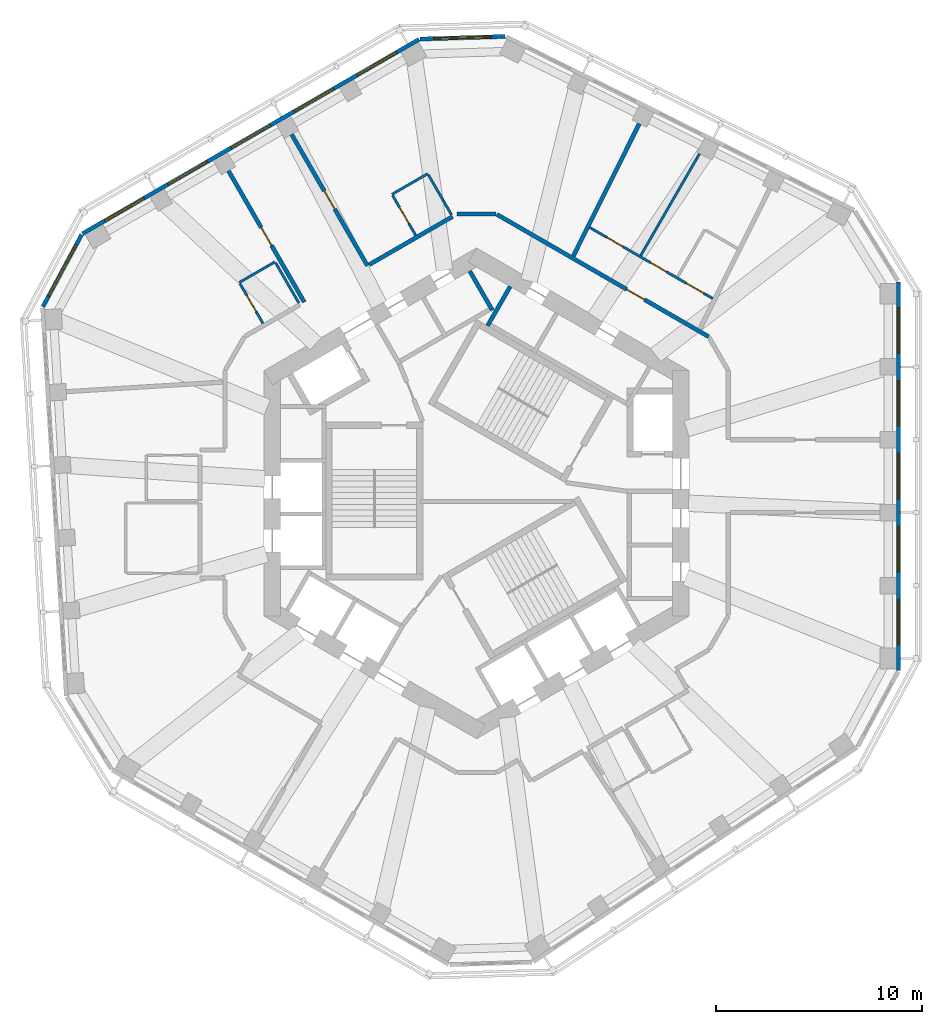
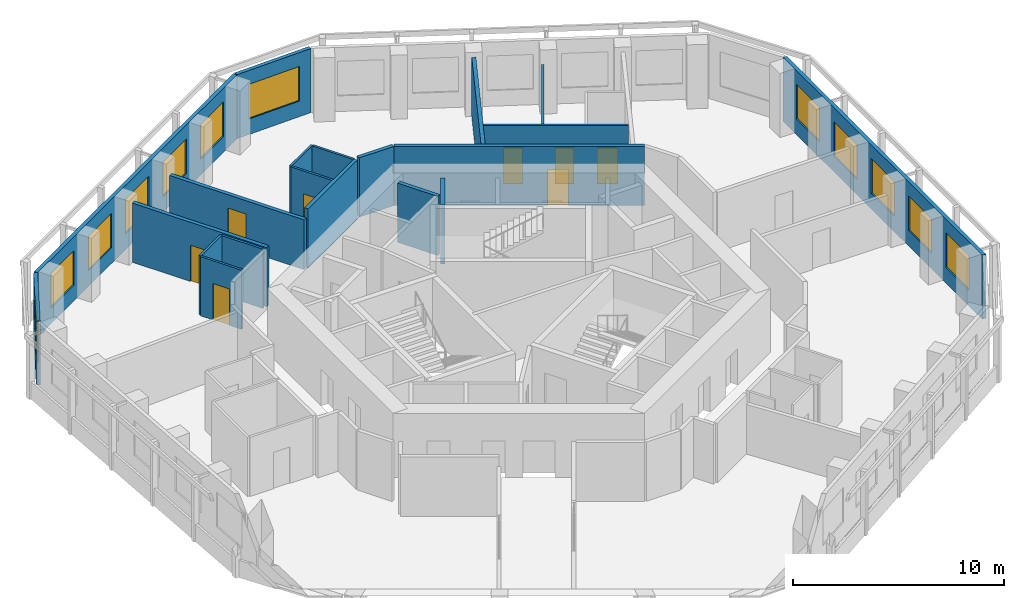
# One storey, part 7 of 11: 20 walls, 12 windows, 8 doors, 20 openings.
"""IFC4 building model written with IfcOpenShell, lengths in metres."""

from ifc_helpers import new_model, si_unit, direction, frame, frame_2d, origin, place, context, subcontext, project, spatial, rectangle, extrude, material, layer, layer_set, type_object, element, fill, save


model = new_model("IFC4")

# Units and contexts
model_context = context("Model", 3, precision=1e-05, world=origin(), true_north=direction((0.0, 1.0)))
body_context = subcontext(model_context, "Body", "Model", "MODEL_VIEW")
ifc_project = project(units=[si_unit("LENGTHUNIT", "METRE"), si_unit("AREAUNIT", "SQUARE_METRE"), si_unit("VOLUMEUNIT", "CUBIC_METRE"), si_unit("PLANEANGLEUNIT", "RADIAN"), si_unit("MASSUNIT", "GRAM", prefix="KILO")], contexts=[model_context])

# Site, building, storey
site_placement = place(None, origin())
site = spatial("IfcSite", under=ifc_project, at=site_placement, CompositionType="ELEMENT")
building_placement = place(site_placement, origin())
building = spatial("IfcBuilding", under=site, at=building_placement, Name="Vanh Sen Convention Tower", CompositionType="ELEMENT")
storey_placement = place(building_placement, frame((0.0, 0.0, 247.60009765625)))
storey = spatial("IfcBuildingStorey", under=building, at=storey_placement, Name="L61", CompositionType="ELEMENT", Elevation=247.60009765625)

# Wall
ifc_material_1 = material(Name="Moisture-resistant gypsum board on steel studs", Category="steel")
ifc_layer_1 = layer(ifc_material_1, 0.1201171875)
ifc_layer_set_1 = layer_set([ifc_layer_1], Name="Moisture-resistant gypsum board on steel studs")
wall_type_1 = type_object("IfcWallType", Name="Bathroom partition 120", PredefinedType="PARTITIONING", material=ifc_layer_set_1)
wall_1_placement = place(storey_placement, frame((-11.49853515625, 10.219970703125, 0.0), z_axis=(0.0, 0.0, 1.0), x_axis=(0.866010750942, 0.50002537861, 0.0)))
element("IfcWall", 1, at=wall_1_placement, inside=storey, type_object=wall_type_1, Name="Bathroom partition 120", PredefinedType="PARTITIONING", context=body_context, shape_type="SweptSolid", body=[
    extrude(rectangle(XDim=2.0, YDim=0.1201171875, at=frame_2d((1.0, 0.0))), origin(), (0.0, 0.0, 1.0), 3.419921875),
])

# Wall, opening, door
wall_2_placement = place(storey_placement, frame((-10.348388671875, 8.22802734375, 0.0), z_axis=(0.0, 0.0, 1.0), x_axis=(-0.500030632641, 0.866007717299, 0.0)))
wall_2 = element("IfcWall", 2, at=wall_2_placement, inside=storey, type_object=wall_type_1, Name="Bathroom partition 120", PredefinedType="PARTITIONING", context=body_context, shape_type="SweptSolid", body=[
    extrude(rectangle(XDim=2.239990234375, YDim=0.1201171875, at=frame_2d((1.1201171875, 0.0))), origin(), (0.0, 0.0, 1.0), 3.419921875),
])
opening_1_placement = place(wall_2_placement, frame((0.669921875, 0.0, 0.0)))
opening_1 = element("IfcOpeningElement", 3, at=opening_1_placement, cuts=wall_2, Name="Opening D61109", PredefinedType="OPENING", context=body_context, shape_type="SweptSolid", body=[
    extrude(rectangle(XDim=0.89990234375, YDim=2.10009765625, at=frame_2d((0.449951171875, 1.050048828125))), frame((0.0, 0.070068359375, 0.0), z_axis=(0.0, -1.0, 0.0), x_axis=(1.0, 0.0, 0.0)), (0.0, 0.0, 1.0), 0.14013671875),
])
ifc_material_2 = material(Name="Laminate door in steel frame", Category="steel")
door_type_1 = type_object("IfcDoorType", Name="Room internal door 900", OperationType="SINGLE_SWING_LEFT", PredefinedType="DOOR", material=ifc_material_2)
door_1_placement = place(opening_1_placement, origin())
door_1 = element("IfcDoor", 4, at=door_1_placement, inside=storey, type_object=door_type_1, Name="Internal room door D61109", OperationType="SINGLE_SWING_LEFT", OverallHeight=2.10009765625, OverallWidth=0.89990234375, PredefinedType="DOOR", context=body_context, shape_type="SweptSolid", body=[
    extrude(rectangle(XDim=0.89990234375, YDim=2.10009765625, at=frame_2d((0.449951171875, 1.050048828125))), frame((0.0, 0.02490234375, 0.0), z_axis=(0.0, -1.0, 0.0), x_axis=(1.0, 0.0, 0.0)), (0.0, 0.0, 1.0), 0.050048828125),
])
fill(opening_1, door_1)

# Walls
wall_3_placement = place(storey_placement, frame((-9.736572265625, 11.16796875, 0.0), z_axis=(0.0, 0.0, 1.0), x_axis=(0.500030632641, -0.866007717299, 0.0)))
element("IfcWall", 5, at=wall_3_placement, inside=storey, type_object=wall_type_1, Name="Bathroom partition 120", PredefinedType="PARTITIONING", context=body_context, shape_type="SweptSolid", body=[
    extrude(rectangle(XDim=2.239990234375, YDim=0.1201171875, at=frame_2d((1.1201171875, 0.0))), origin(), (0.0, 0.0, 1.0), 3.419921875),
])
wall_4_placement = place(storey_placement, frame((-4.0986328125, 14.4921875, 0.0), z_axis=(0.0, 0.0, 1.0), x_axis=(0.866041268327, 0.499972520799, 0.0)))
element("IfcWall", 6, at=wall_4_placement, inside=storey, type_object=wall_type_1, Name="Bathroom partition 120", PredefinedType="PARTITIONING", context=body_context, shape_type="SweptSolid", body=[
    extrude(rectangle(XDim=2.0, YDim=0.1201171875, at=frame_2d((1.0, 0.0))), origin(), (0.0, 0.0, 1.0), 3.419921875),
])

# Wall, opening, door
wall_5_placement = place(storey_placement, frame((-2.948486328125, 12.50048828125, 0.0), z_axis=(0.0, 0.0, 1.0), x_axis=(-0.500077830873, 0.865980463445, 0.0)))
wall_5 = element("IfcWall", 7, at=wall_5_placement, inside=storey, type_object=wall_type_1, Name="Bathroom partition 120", PredefinedType="PARTITIONING", context=body_context, shape_type="SweptSolid", body=[
    extrude(rectangle(XDim=2.239990234375, YDim=0.1201171875, at=frame_2d((1.1201171875, 0.0))), origin(), (0.0, 0.0, 1.0), 3.419921875),
])
opening_2_placement = place(wall_5_placement, frame((0.669921875, 0.0, 0.0)))
opening_2 = element("IfcOpeningElement", 8, at=opening_2_placement, cuts=wall_5, Name="Opening D61107", PredefinedType="OPENING", context=body_context, shape_type="SweptSolid", body=[
    extrude(rectangle(XDim=0.89990234375, YDim=2.10009765625, at=frame_2d((0.449951171875, 1.050048828125))), frame((0.0, 0.070068359375, 0.0), z_axis=(0.0, -1.0, 0.0), x_axis=(1.0, 0.0, 0.0)), (0.0, 0.0, 1.0), 0.14013671875),
])
door_2_placement = place(opening_2_placement, origin())
door_2 = element("IfcDoor", 9, at=door_2_placement, inside=storey, type_object=door_type_1, Name="Internal room door D61107", OperationType="SINGLE_SWING_LEFT", OverallHeight=2.10009765625, OverallWidth=0.89990234375, PredefinedType="DOOR", context=body_context, shape_type="SweptSolid", body=[
    extrude(rectangle(XDim=0.89990234375, YDim=2.10009765625, at=frame_2d((0.449951171875, 1.050048828125))), frame((0.0, 0.02490234375, 0.0), z_axis=(0.0, -1.0, 0.0), x_axis=(1.0, 0.0, 0.0)), (0.0, 0.0, 1.0), 0.050048828125),
])
fill(opening_2, door_2)

# Walls
wall_6_placement = place(storey_placement, frame((-2.33642578125, 15.440185546875, 0.0), z_axis=(0.0, 0.0, 1.0), x_axis=(0.49999608499, -0.866027664105, 0.0)))
element("IfcWall", 10, at=wall_6_placement, inside=storey, type_object=wall_type_1, Name="Bathroom partition 120", PredefinedType="PARTITIONING", context=body_context, shape_type="SweptSolid", body=[
    extrude(rectangle(XDim=2.23974609375, YDim=0.1201171875, at=frame_2d((1.119873046875, 0.0))), origin(), (0.0, 0.0, 1.0), 3.419921875),
])
wall_7_placement = place(storey_placement, frame((10.8046875, 16.458251953125, 0.0), z_axis=(0.0, 0.0, 1.0), x_axis=(-0.500025478307, -0.866010693377, 0.0)))
element("IfcWall", 11, at=wall_7_placement, inside=storey, type_object=wall_type_1, Name="Bathroom partition 120", PredefinedType="PARTITIONING", context=body_context, shape_type="SweptSolid", body=[
    extrude(rectangle(XDim=5.695556640625, YDim=0.1201171875, at=frame_2d((2.84765625, 0.0))), origin(), (0.0, 0.0, 1.0), 2.869873046875),
])

# Wall, openings, doors
wall_8_placement = place(storey_placement, frame((11.447265625, 9.441162109375, 0.0), z_axis=(0.0, 0.0, 1.0), x_axis=(-0.866016001002, 0.500016285743, 0.0)))
wall_8 = element("IfcWall", 12, at=wall_8_placement, inside=storey, type_object=wall_type_1, Name="Bathroom partition 120", PredefinedType="PARTITIONING", context=body_context, shape_type="SweptSolid", body=[
    extrude(rectangle(XDim=6.880615234375, YDim=0.1201171875, at=frame_2d((3.4404296875, 0.0))), origin(), (0.0, 0.0, 1.0), 3.419921875),
])
opening_3_placement = place(wall_8_placement, frame((0.5, 0.0, 0.0)))
opening_3 = element("IfcOpeningElement", 13, at=opening_3_placement, cuts=wall_8, Name="Opening D61103", PredefinedType="OPENING", context=body_context, shape_type="SweptSolid", body=[
    extrude(rectangle(XDim=1.0, YDim=2.10009765625, at=frame_2d((0.5, 1.050048828125))), frame((0.0, 0.070068359375, 0.0), z_axis=(0.0, -1.0, 0.0), x_axis=(1.0, 0.0, 0.0)), (0.0, 0.0, 1.0), 0.14013671875),
])
opening_4_placement = place(wall_8_placement, frame((2.58251953125, 0.0, 0.0)))
opening_4 = element("IfcOpeningElement", 14, at=opening_4_placement, cuts=wall_8, Name="Opening D61104", PredefinedType="OPENING", context=body_context, shape_type="SweptSolid", body=[
    extrude(rectangle(XDim=0.89990234375, YDim=2.10009765625, at=frame_2d((0.449951171875, 1.050048828125))), frame((0.0, 0.070068359375, 0.0), z_axis=(0.0, -1.0, 0.0), x_axis=(1.0, 0.0, 0.0)), (0.0, 0.0, 1.0), 0.14013671875),
])
opening_5_placement = place(wall_8_placement, frame((5.022705078125, 0.0, 0.0)))
opening_5 = element("IfcOpeningElement", 15, at=opening_5_placement, cuts=wall_8, Name="Opening D61105", PredefinedType="OPENING", context=body_context, shape_type="SweptSolid", body=[
    extrude(rectangle(XDim=0.89990234375, YDim=2.10009765625, at=frame_2d((0.449951171875, 1.050048828125))), frame((0.0, 0.070068359375, 0.0), z_axis=(0.0, -1.0, 0.0), x_axis=(1.0, 0.0, 0.0)), (0.0, 0.0, 1.0), 0.14013671875),
])
door_type_2 = type_object("IfcDoorType", Name="Accessible WC door 1000", OperationType="SINGLE_SWING_LEFT", PredefinedType="DOOR", material=ifc_material_2)
door_3_placement = place(opening_3_placement, origin())
door_3 = element("IfcDoor", 16, at=door_3_placement, inside=storey, type_object=door_type_2, Name="Accessible WC door D61103", OperationType="SINGLE_SWING_LEFT", OverallHeight=2.10009765625, OverallWidth=1.0, PredefinedType="DOOR", context=body_context, shape_type="SweptSolid", body=[
    extrude(rectangle(XDim=1.0, YDim=2.10009765625, at=frame_2d((0.5, 1.050048828125))), frame((0.0, 0.02490234375, 0.0), z_axis=(0.0, -1.0, 0.0), x_axis=(1.0, 0.0, 0.0)), (0.0, 0.0, 1.0), 0.050048828125),
])
fill(opening_3, door_3)
door_4_placement = place(opening_4_placement, origin())
door_4 = element("IfcDoor", 17, at=door_4_placement, inside=storey, type_object=door_type_1, Name="Internal room door D61104", OperationType="SINGLE_SWING_LEFT", OverallHeight=2.10009765625, OverallWidth=0.89990234375, PredefinedType="DOOR", context=body_context, shape_type="SweptSolid", body=[
    extrude(rectangle(XDim=0.89990234375, YDim=2.10009765625, at=frame_2d((0.449951171875, 1.050048828125))), frame((0.0, 0.02490234375, 0.0), z_axis=(0.0, -1.0, 0.0), x_axis=(1.0, 0.0, 0.0)), (0.0, 0.0, 1.0), 0.050048828125),
])
fill(opening_4, door_4)
door_5_placement = place(opening_5_placement, origin())
door_5 = element("IfcDoor", 18, at=door_5_placement, inside=storey, type_object=door_type_1, Name="Internal room door D61105", OperationType="SINGLE_SWING_LEFT", OverallHeight=2.10009765625, OverallWidth=0.89990234375, PredefinedType="DOOR", context=body_context, shape_type="SweptSolid", body=[
    extrude(rectangle(XDim=0.89990234375, YDim=2.10009765625, at=frame_2d((0.449951171875, 1.050048828125))), frame((0.0, 0.02490234375, 0.0), z_axis=(0.0, -1.0, 0.0), x_axis=(1.0, 0.0, 0.0)), (0.0, 0.0, 1.0), 0.050048828125),
])
fill(opening_5, door_5)

# Wall, opening, door
ifc_material_3 = material(Name="Gypsum board on steel studs with mineral wool", Category="steel")
ifc_layer_2 = layer(ifc_material_3, 0.199951171875)
ifc_layer_set_2 = layer_set([ifc_layer_2], Name="Gypsum board on steel studs with mineral wool")
wall_type_2 = type_object("IfcWallType", Name="Corridor partition wall 200", PredefinedType="PARTITIONING", material=ifc_layer_set_2)
wall_9_placement = place(storey_placement, frame((-12.02490234375, 15.6318359375, 0.0), z_axis=(0.0, 0.0, 1.0), x_axis=(0.499983153418, -0.866035129944, 0.0)))
wall_9 = element("IfcWall", 19, at=wall_9_placement, inside=storey, type_object=wall_type_2, Name="Corridor partition wall 200", PredefinedType="PARTITIONING", context=body_context, shape_type="SweptSolid", body=[
    extrude(rectangle(XDim=7.349853515625, YDim=0.199951171875, at=frame_2d((3.6748046875, 0.0))), origin(), (0.0, 0.0, 1.0), 3.419921875),
])
opening_6_placement = place(wall_9_placement, frame((3.175048828125, 0.0, 0.0)))
opening_6 = element("IfcOpeningElement", 20, at=opening_6_placement, cuts=wall_9, Name="Opening D61108", PredefinedType="OPENING", context=body_context, shape_type="SweptSolid", body=[
    extrude(rectangle(XDim=1.0, YDim=2.10009765625, at=frame_2d((0.5, 1.050048828125))), frame((0.0, 0.10986328125, 0.0), z_axis=(0.0, -1.0, 0.0), x_axis=(1.0, 0.0, 0.0)), (0.0, 0.0, 1.0), 0.219970703125),
])
ifc_material_4 = material(Name="Glazed fire door in steel frame", Category="steel")
door_type_3 = type_object("IfcDoorType", Name="Tenant entrance door 1000", OperationType="SINGLE_SWING_LEFT", PredefinedType="DOOR", material=ifc_material_4)
door_6_placement = place(opening_6_placement, origin())
door_6 = element("IfcDoor", 21, at=door_6_placement, inside=storey, type_object=door_type_3, Name="Tenant suite entrance door D61108", OperationType="SINGLE_SWING_LEFT", OverallHeight=2.10009765625, OverallWidth=1.0, PredefinedType="DOOR", context=body_context, shape_type="SweptSolid", body=[
    extrude(rectangle(XDim=1.0, YDim=2.10009765625, at=frame_2d((0.5, 1.050048828125))), frame((0.0, 0.02490234375, 0.0), z_axis=(0.0, -1.0, 0.0), x_axis=(1.0, 0.0, 0.0)), (0.0, 0.0, 1.0), 0.050048828125),
])
fill(opening_6, door_6)

wall_10_placement = place(storey_placement, frame((-8.96484375, 17.398681640625, 0.0), z_axis=(0.0, 0.0, 1.0), x_axis=(0.499993683172, -0.866029050776, 0.0)))
wall_10 = element("IfcWall", 22, at=wall_10_placement, inside=storey, type_object=wall_type_2, Name="Corridor partition wall 200", PredefinedType="PARTITIONING", context=body_context, shape_type="SweptSolid", body=[
    extrude(rectangle(XDim=7.35009765625, YDim=0.199951171875, at=frame_2d((3.675048828125, 0.0))), origin(), (0.0, 0.0, 1.0), 2.869873046875),
])
opening_7_placement = place(wall_10_placement, frame((3.175048828125, 0.0, 0.0)))
opening_7 = element("IfcOpeningElement", 23, at=opening_7_placement, cuts=wall_10, Name="Opening D61106", PredefinedType="OPENING", context=body_context, shape_type="SweptSolid", body=[
    extrude(rectangle(XDim=1.0, YDim=2.10009765625, at=frame_2d((0.5, 1.050048828125))), frame((0.0, 0.10986328125, 0.0), z_axis=(0.0, -1.0, 0.0), x_axis=(1.0, 0.0, 0.0)), (0.0, 0.0, 1.0), 0.219970703125),
])
door_7_placement = place(opening_7_placement, origin())
door_7 = element("IfcDoor", 24, at=door_7_placement, inside=storey, type_object=door_type_3, Name="Tenant suite entrance door D61106", OperationType="SINGLE_SWING_LEFT", OverallHeight=2.10009765625, OverallWidth=1.0, PredefinedType="DOOR", context=body_context, shape_type="SweptSolid", body=[
    extrude(rectangle(XDim=1.0, YDim=2.10009765625, at=frame_2d((0.5, 1.050048828125))), frame((0.0, 0.02490234375, 0.0), z_axis=(0.0, -1.0, 0.0), x_axis=(1.0, 0.0, 0.0)), (0.0, 0.0, 1.0), 0.050048828125),
])
fill(opening_7, door_7)

# Walls
wall_11_placement = place(storey_placement, frame((-1.16650390625, 13.413818359375, 0.0), z_axis=(0.0, 0.0, 1.0), x_axis=(-0.866023347809, -0.500003561037, 0.0)))
element("IfcWall", 25, at=wall_11_placement, inside=storey, type_object=wall_type_2, Name="Corridor partition wall 200", PredefinedType="PARTITIONING", context=body_context, shape_type="SweptSolid", body=[
    extrude(rectangle(XDim=4.6611328125, YDim=0.199951171875, at=frame_2d((2.33056640625, 0.0))), origin(), (0.0, 0.0, 1.0), 3.419921875),
])
wall_12_placement = place(storey_placement, frame((0.949951171875, 13.538818359375, 0.0), z_axis=(0.0, 0.0, 1.0), x_axis=(-1.0, 0.0, 0.0)))
element("IfcWall", 26, at=wall_12_placement, inside=storey, type_object=wall_type_2, Name="Corridor partition wall 200", PredefinedType="PARTITIONING", context=body_context, shape_type="SweptSolid", body=[
    extrude(rectangle(XDim=1.89990234375, YDim=0.199951171875, at=frame_2d((0.949951171875, 0.0))), origin(), (0.0, 0.0, 1.0), 3.419921875),
])

# Wall, opening, door
wall_13_placement = place(storey_placement, frame((11.25, 7.592041015625, 0.0), z_axis=(0.0, 0.0, 1.0), x_axis=(-0.866024037175, 0.500002367029, 0.0)))
wall_13 = element("IfcWall", 27, at=wall_13_placement, inside=storey, type_object=wall_type_2, Name="Corridor partition wall 200", PredefinedType="PARTITIONING", context=body_context, shape_type="SweptSolid", body=[
    extrude(rectangle(XDim=11.853515625, YDim=0.199951171875, at=frame_2d((5.9267578125, 0.0))), origin(), (0.0, 0.0, 1.0), 3.419921875),
])
opening_8_placement = place(wall_13_placement, frame((3.590087890625, 0.0, 0.0)))
opening_8 = element("IfcOpeningElement", 28, at=opening_8_placement, cuts=wall_13, Name="Opening D61102", PredefinedType="OPENING", context=body_context, shape_type="SweptSolid", body=[
    extrude(rectangle(XDim=1.0, YDim=2.10009765625, at=frame_2d((0.5, 1.050048828125))), frame((0.0, 0.10986328125, 0.0), z_axis=(0.0, -1.0, 0.0), x_axis=(1.0, 0.0, 0.0)), (0.0, 0.0, 1.0), 0.219970703125),
])
ifc_material_5 = material(Name="Timber fire door in steel frame", Category="steel")
door_type_4 = type_object("IfcDoorType", Name="Floor room door 1000", OperationType="SINGLE_SWING_LEFT", PredefinedType="DOOR", material=ifc_material_5)
door_8_placement = place(opening_8_placement, origin())
door_8 = element("IfcDoor", 29, at=door_8_placement, inside=storey, type_object=door_type_4, Name="Meeting and amenity room door D61102", OperationType="SINGLE_SWING_LEFT", OverallHeight=2.10009765625, OverallWidth=1.0, PredefinedType="DOOR", context=body_context, shape_type="SweptSolid", body=[
    extrude(rectangle(XDim=1.0, YDim=2.10009765625, at=frame_2d((0.5, 1.050048828125))), frame((0.0, 0.02490234375, 0.0), z_axis=(0.0, -1.0, 0.0), x_axis=(1.0, 0.0, 0.0)), (0.0, 0.0, 1.0), 0.050048828125),
])
fill(opening_8, door_8)

# Wall, openings, windows
ifc_material_6 = material(Name="Insulated lightweight infill wall")
ifc_layer_3 = layer(ifc_material_6, 0.199951171875)
ifc_layer_set_3 = layer_set([ifc_layer_3], Name="Insulated lightweight infill wall")
wall_type_3 = type_object("IfcWallType", Name="External wall 200", PredefinedType="STANDARD", material=ifc_layer_set_3)
wall_14_placement = place(storey_placement, frame((20.449951171875, -8.590087890625, 0.0), z_axis=(0.0, 0.0, 1.0), x_axis=(0.0, 1.0, 0.0)))
wall_14 = element("IfcWall", 30, at=wall_14_placement, inside=storey, type_object=wall_type_3, Name="External wall E L61", PredefinedType="STANDARD", context=body_context, shape_type="SweptSolid", body=[
    extrude(rectangle(XDim=18.84130859375, YDim=0.199951171875, at=frame_2d((9.420654296875, 0.0))), origin(), (0.0, 0.0, 1.0), 3.699951171875),
])
opening_9_placement = place(wall_14_placement, frame((1.254150390625, 0.0, 0.89990234375)))
opening_9 = element("IfcOpeningElement", 31, at=opening_9_placement, cuts=wall_14, Name="Opening WO3-E1", PredefinedType="OPENING", context=body_context, shape_type="SweptSolid", body=[
    extrude(rectangle(XDim=2.199951171875, YDim=2.0, at=frame_2d((1.10009765625, 1.0))), frame((0.0, 0.10986328125, 0.0), z_axis=(0.0, -1.0, 0.0), x_axis=(1.0, 0.0, 0.0)), (0.0, 0.0, 1.0), 0.219970703125),
])
opening_10_placement = place(wall_14_placement, frame((4.787841796875, 0.0, 0.89990234375)))
opening_10 = element("IfcOpeningElement", 32, at=opening_10_placement, cuts=wall_14, Name="Opening WO3-E2", PredefinedType="OPENING", context=body_context, shape_type="SweptSolid", body=[
    extrude(rectangle(XDim=2.199951171875, YDim=2.0, at=frame_2d((1.10009765625, 1.0))), frame((0.0, 0.10986328125, 0.0), z_axis=(0.0, -1.0, 0.0), x_axis=(1.0, 0.0, 0.0)), (0.0, 0.0, 1.0), 0.219970703125),
])
opening_11_placement = place(wall_14_placement, frame((8.321533203125, 0.0, 0.89990234375)))
opening_11 = element("IfcOpeningElement", 33, at=opening_11_placement, cuts=wall_14, Name="Opening WO3-E3", PredefinedType="OPENING", context=body_context, shape_type="SweptSolid", body=[
    extrude(rectangle(XDim=2.199951171875, YDim=2.0, at=frame_2d((1.10009765625, 1.0))), frame((0.0, 0.10986328125, 0.0), z_axis=(0.0, -1.0, 0.0), x_axis=(1.0, 0.0, 0.0)), (0.0, 0.0, 1.0), 0.219970703125),
])
opening_12_placement = place(wall_14_placement, frame((11.85498046875, 0.0, 0.89990234375)))
opening_12 = element("IfcOpeningElement", 34, at=opening_12_placement, cuts=wall_14, Name="Opening WO3-E4", PredefinedType="OPENING", context=body_context, shape_type="SweptSolid", body=[
    extrude(rectangle(XDim=2.199951171875, YDim=2.0, at=frame_2d((1.10009765625, 1.0))), frame((0.0, 0.10986328125, 0.0), z_axis=(0.0, -1.0, 0.0), x_axis=(1.0, 0.0, 0.0)), (0.0, 0.0, 1.0), 0.219970703125),
])
opening_13_placement = place(wall_14_placement, frame((15.388671875, 0.0, 0.89990234375)))
opening_13 = element("IfcOpeningElement", 35, at=opening_13_placement, cuts=wall_14, Name="Opening WO3-E5", PredefinedType="OPENING", context=body_context, shape_type="SweptSolid", body=[
    extrude(rectangle(XDim=2.199951171875, YDim=2.0, at=frame_2d((1.10009765625, 1.0))), frame((0.0, 0.10986328125, 0.0), z_axis=(0.0, -1.0, 0.0), x_axis=(1.0, 0.0, 0.0)), (0.0, 0.0, 1.0), 0.219970703125),
])
ifc_material_7 = material(Name="Aluminium frame with clear low-emissivity glass", Category="aluminium")
window_type_1 = type_object("IfcWindowType", Name="Office window 2200 x 2000", PartitioningType="SINGLE_PANEL", PredefinedType="WINDOW", material=ifc_material_7)
window_1_placement = place(opening_9_placement, origin())
window_1 = element("IfcWindow", 36, at=window_1_placement, inside=storey, type_object=window_type_1, Name="Window WO3-E1", OverallHeight=2.0, OverallWidth=2.199951171875, PartitioningType="SINGLE_PANEL", PredefinedType="WINDOW", context=body_context, shape_type="SweptSolid", body=[
    extrude(rectangle(XDim=2.199951171875, YDim=2.0, at=frame_2d((1.10009765625, 1.0))), frame((0.0, 0.030029296875, 0.0), z_axis=(0.0, -1.0, 0.0), x_axis=(1.0, 0.0, 0.0)), (0.0, 0.0, 1.0), 0.06005859375),
])
fill(opening_9, window_1)
window_2_placement = place(opening_10_placement, origin())
window_2 = element("IfcWindow", 37, at=window_2_placement, inside=storey, type_object=window_type_1, Name="Window WO3-E2", OverallHeight=2.0, OverallWidth=2.199951171875, PartitioningType="SINGLE_PANEL", PredefinedType="WINDOW", context=body_context, shape_type="SweptSolid", body=[
    extrude(rectangle(XDim=2.199951171875, YDim=2.0, at=frame_2d((1.10009765625, 1.0))), frame((0.0, 0.030029296875, 0.0), z_axis=(0.0, -1.0, 0.0), x_axis=(1.0, 0.0, 0.0)), (0.0, 0.0, 1.0), 0.06005859375),
])
fill(opening_10, window_2)
window_3_placement = place(opening_11_placement, origin())
window_3 = element("IfcWindow", 38, at=window_3_placement, inside=storey, type_object=window_type_1, Name="Window WO3-E3", OverallHeight=2.0, OverallWidth=2.199951171875, PartitioningType="SINGLE_PANEL", PredefinedType="WINDOW", context=body_context, shape_type="SweptSolid", body=[
    extrude(rectangle(XDim=2.199951171875, YDim=2.0, at=frame_2d((1.10009765625, 1.0))), frame((0.0, 0.030029296875, 0.0), z_axis=(0.0, -1.0, 0.0), x_axis=(1.0, 0.0, 0.0)), (0.0, 0.0, 1.0), 0.06005859375),
])
fill(opening_11, window_3)
window_4_placement = place(opening_12_placement, origin())
window_4 = element("IfcWindow", 39, at=window_4_placement, inside=storey, type_object=window_type_1, Name="Window WO3-E4", OverallHeight=2.0, OverallWidth=2.199951171875, PartitioningType="SINGLE_PANEL", PredefinedType="WINDOW", context=body_context, shape_type="SweptSolid", body=[
    extrude(rectangle(XDim=2.199951171875, YDim=2.0, at=frame_2d((1.10009765625, 1.0))), frame((0.0, 0.030029296875, 0.0), z_axis=(0.0, -1.0, 0.0), x_axis=(1.0, 0.0, 0.0)), (0.0, 0.0, 1.0), 0.06005859375),
])
fill(opening_12, window_4)
window_5_placement = place(opening_13_placement, origin())
window_5 = element("IfcWindow", 40, at=window_5_placement, inside=storey, type_object=window_type_1, Name="Window WO3-E5", OverallHeight=2.0, OverallWidth=2.199951171875, PartitioningType="SINGLE_PANEL", PredefinedType="WINDOW", context=body_context, shape_type="SweptSolid", body=[
    extrude(rectangle(XDim=2.199951171875, YDim=2.0, at=frame_2d((1.10009765625, 1.0))), frame((0.0, 0.030029296875, 0.0), z_axis=(0.0, -1.0, 0.0), x_axis=(1.0, 0.0, 0.0)), (0.0, 0.0, 1.0), 0.06005859375),
])
fill(opening_13, window_5)

# Wall, opening, window
wall_15_placement = place(storey_placement, frame((1.389404296875, 22.144775390625, 0.0), z_axis=(0.0, 0.0, 1.0), x_axis=(-0.999534702881, -0.030502093955, 0.0)))
wall_15 = element("IfcWall", 41, at=wall_15_placement, inside=storey, type_object=wall_type_3, Name="External wall CH2 L61", PredefinedType="STANDARD", context=body_context, shape_type="SweptSolid", body=[
    extrude(rectangle(XDim=4.130126953125, YDim=0.199951171875, at=frame_2d((2.06494140625, 0.0))), origin(), (0.0, 0.0, 1.0), 3.699951171875),
])
opening_14_placement = place(wall_15_placement, frame((0.6650390625, 0.0, 0.89990234375)))
opening_14 = element("IfcOpeningElement", 42, at=opening_14_placement, cuts=wall_15, Name="Opening WO4-CH21", PredefinedType="OPENING", context=body_context, shape_type="SweptSolid", body=[
    extrude(rectangle(XDim=2.800048828125, YDim=2.0, at=frame_2d((1.39990234375, 1.0))), frame((0.0, 0.10986328125, 0.0), z_axis=(0.0, -1.0, 0.0), x_axis=(1.0, 0.0, 0.0)), (0.0, 0.0, 1.0), 0.219970703125),
])
window_type_2 = type_object("IfcWindowType", Name="Office window 2800 x 2000", PartitioningType="SINGLE_PANEL", PredefinedType="WINDOW", material=ifc_material_7)
window_6_placement = place(opening_14_placement, origin())
window_6 = element("IfcWindow", 43, at=window_6_placement, inside=storey, type_object=window_type_2, Name="Window WO4-CH21", OverallHeight=2.0, OverallWidth=2.800048828125, PartitioningType="SINGLE_PANEL", PredefinedType="WINDOW", context=body_context, shape_type="SweptSolid", body=[
    extrude(rectangle(XDim=2.800048828125, YDim=2.0, at=frame_2d((1.39990234375, 1.0))), frame((0.0, 0.030029296875, 0.0), z_axis=(0.0, -1.0, 0.0), x_axis=(1.0, 0.0, 0.0)), (0.0, 0.0, 1.0), 0.06005859375),
])
fill(opening_14, window_6)

# Wall, openings, windows
wall_16_placement = place(storey_placement, frame((-2.78564453125, 22.00537109375, 0.0), z_axis=(0.0, 0.0, 1.0), x_axis=(-0.866026555358, -0.49999800541, 0.0)))
wall_16 = element("IfcWall", 44, at=wall_16_placement, inside=storey, type_object=wall_type_3, Name="External wall NW L61", PredefinedType="STANDARD", context=body_context, shape_type="SweptSolid", body=[
    extrude(rectangle(XDim=18.84130859375, YDim=0.199951171875, at=frame_2d((9.420654296875, 0.0))), origin(), (0.0, 0.0, 1.0), 3.699951171875),
])
opening_15_placement = place(wall_16_placement, frame((1.254150390625, 0.0, 0.89990234375)))
opening_15 = element("IfcOpeningElement", 45, at=opening_15_placement, cuts=wall_16, Name="Opening WO3-NW1", PredefinedType="OPENING", context=body_context, shape_type="SweptSolid", body=[
    extrude(rectangle(XDim=2.199951171875, YDim=2.0, at=frame_2d((1.10009765625, 1.0))), frame((0.0, 0.10986328125, 0.0), z_axis=(0.0, -1.0, 0.0), x_axis=(1.0, 0.0, 0.0)), (0.0, 0.0, 1.0), 0.219970703125),
])
opening_16_placement = place(wall_16_placement, frame((4.787841796875, 0.0, 0.89990234375)))
opening_16 = element("IfcOpeningElement", 46, at=opening_16_placement, cuts=wall_16, Name="Opening WO3-NW2", PredefinedType="OPENING", context=body_context, shape_type="SweptSolid", body=[
    extrude(rectangle(XDim=2.199951171875, YDim=2.0, at=frame_2d((1.10009765625, 1.0))), frame((0.0, 0.10986328125, 0.0), z_axis=(0.0, -1.0, 0.0), x_axis=(1.0, 0.0, 0.0)), (0.0, 0.0, 1.0), 0.219970703125),
])
opening_17_placement = place(wall_16_placement, frame((8.3212890625, 0.0, 0.89990234375)))
opening_17 = element("IfcOpeningElement", 47, at=opening_17_placement, cuts=wall_16, Name="Opening WO3-NW3", PredefinedType="OPENING", context=body_context, shape_type="SweptSolid", body=[
    extrude(rectangle(XDim=2.199951171875, YDim=2.0, at=frame_2d((1.10009765625, 1.0))), frame((0.0, 0.10986328125, 0.0), z_axis=(0.0, -1.0, 0.0), x_axis=(1.0, 0.0, 0.0)), (0.0, 0.0, 1.0), 0.219970703125),
])
opening_18_placement = place(wall_16_placement, frame((11.85498046875, 0.0, 0.89990234375)))
opening_18 = element("IfcOpeningElement", 48, at=opening_18_placement, cuts=wall_16, Name="Opening WO3-NW4", PredefinedType="OPENING", context=body_context, shape_type="SweptSolid", body=[
    extrude(rectangle(XDim=2.199951171875, YDim=2.0, at=frame_2d((1.10009765625, 1.0))), frame((0.0, 0.10986328125, 0.0), z_axis=(0.0, -1.0, 0.0), x_axis=(1.0, 0.0, 0.0)), (0.0, 0.0, 1.0), 0.219970703125),
])
opening_19_placement = place(wall_16_placement, frame((15.388671875, 0.0, 0.89990234375)))
opening_19 = element("IfcOpeningElement", 49, at=opening_19_placement, cuts=wall_16, Name="Opening WO3-NW5", PredefinedType="OPENING", context=body_context, shape_type="SweptSolid", body=[
    extrude(rectangle(XDim=2.199951171875, YDim=2.0, at=frame_2d((1.10009765625, 1.0))), frame((0.0, 0.10986328125, 0.0), z_axis=(0.0, -1.0, 0.0), x_axis=(1.0, 0.0, 0.0)), (0.0, 0.0, 1.0), 0.219970703125),
])
window_7_placement = place(opening_15_placement, origin())
window_7 = element("IfcWindow", 50, at=window_7_placement, inside=storey, type_object=window_type_1, Name="Window WO3-NW1", OverallHeight=2.0, OverallWidth=2.199951171875, PartitioningType="SINGLE_PANEL", PredefinedType="WINDOW", context=body_context, shape_type="SweptSolid", body=[
    extrude(rectangle(XDim=2.199951171875, YDim=2.0, at=frame_2d((1.10009765625, 1.0))), frame((0.0, 0.030029296875, 0.0), z_axis=(0.0, -1.0, 0.0), x_axis=(1.0, 0.0, 0.0)), (0.0, 0.0, 1.0), 0.06005859375),
])
fill(opening_15, window_7)
window_8_placement = place(opening_16_placement, origin())
window_8 = element("IfcWindow", 51, at=window_8_placement, inside=storey, type_object=window_type_1, Name="Window WO3-NW2", OverallHeight=2.0, OverallWidth=2.199951171875, PartitioningType="SINGLE_PANEL", PredefinedType="WINDOW", context=body_context, shape_type="SweptSolid", body=[
    extrude(rectangle(XDim=2.199951171875, YDim=2.0, at=frame_2d((1.10009765625, 1.0))), frame((0.0, 0.030029296875, 0.0), z_axis=(0.0, -1.0, 0.0), x_axis=(1.0, 0.0, 0.0)), (0.0, 0.0, 1.0), 0.06005859375),
])
fill(opening_16, window_8)
window_9_placement = place(opening_17_placement, origin())
window_9 = element("IfcWindow", 52, at=window_9_placement, inside=storey, type_object=window_type_1, Name="Window WO3-NW3", OverallHeight=2.0, OverallWidth=2.199951171875, PartitioningType="SINGLE_PANEL", PredefinedType="WINDOW", context=body_context, shape_type="SweptSolid", body=[
    extrude(rectangle(XDim=2.199951171875, YDim=2.0, at=frame_2d((1.10009765625, 1.0))), frame((0.0, 0.030029296875, 0.0), z_axis=(0.0, -1.0, 0.0), x_axis=(1.0, 0.0, 0.0)), (0.0, 0.0, 1.0), 0.06005859375),
])
fill(opening_17, window_9)
window_10_placement = place(opening_18_placement, origin())
window_10 = element("IfcWindow", 53, at=window_10_placement, inside=storey, type_object=window_type_1, Name="Window WO3-NW4", OverallHeight=2.0, OverallWidth=2.199951171875, PartitioningType="SINGLE_PANEL", PredefinedType="WINDOW", context=body_context, shape_type="SweptSolid", body=[
    extrude(rectangle(XDim=2.199951171875, YDim=2.0, at=frame_2d((1.10009765625, 1.0))), frame((0.0, 0.030029296875, 0.0), z_axis=(0.0, -1.0, 0.0), x_axis=(1.0, 0.0, 0.0)), (0.0, 0.0, 1.0), 0.06005859375),
])
fill(opening_18, window_10)
window_11_placement = place(opening_19_placement, origin())
window_11 = element("IfcWindow", 54, at=window_11_placement, inside=storey, type_object=window_type_1, Name="Window WO3-NW5", OverallHeight=2.0, OverallWidth=2.199951171875, PartitioningType="SINGLE_PANEL", PredefinedType="WINDOW", context=body_context, shape_type="SweptSolid", body=[
    extrude(rectangle(XDim=2.199951171875, YDim=2.0, at=frame_2d((1.10009765625, 1.0))), frame((0.0, 0.030029296875, 0.0), z_axis=(0.0, -1.0, 0.0), x_axis=(1.0, 0.0, 0.0)), (0.0, 0.0, 1.0), 0.06005859375),
])
fill(opening_19, window_11)

# Wall, opening, window
wall_17_placement = place(storey_placement, frame((-19.140869140625, 12.54541015625, 0.0), z_axis=(0.0, 0.0, 1.0), x_axis=(-0.473306370921, -0.880897882416, 0.0)))
wall_17 = element("IfcWall", 55, at=wall_17_placement, inside=storey, type_object=wall_type_3, Name="External wall CH3 L61", PredefinedType="STANDARD", context=body_context, shape_type="SweptSolid", body=[
    extrude(rectangle(XDim=3.982666015625, YDim=0.199951171875, at=frame_2d((1.9912109375, 0.0))), origin(), (0.0, 0.0, 1.0), 3.699951171875),
])
opening_20_placement = place(wall_17_placement, frame((0.59130859375, 0.0, 0.89990234375)))
opening_20 = element("IfcOpeningElement", 56, at=opening_20_placement, cuts=wall_17, Name="Opening WO4-CH31", PredefinedType="OPENING", context=body_context, shape_type="SweptSolid", body=[
    extrude(rectangle(XDim=2.800048828125, YDim=2.0, at=frame_2d((1.39990234375, 1.0))), frame((0.0, 0.10986328125, 0.0), z_axis=(0.0, -1.0, 0.0), x_axis=(1.0, 0.0, 0.0)), (0.0, 0.0, 1.0), 0.219970703125),
])
window_12_placement = place(opening_20_placement, origin())
window_12 = element("IfcWindow", 57, at=window_12_placement, inside=storey, type_object=window_type_2, Name="Window WO4-CH31", OverallHeight=2.0, OverallWidth=2.800048828125, PartitioningType="SINGLE_PANEL", PredefinedType="WINDOW", context=body_context, shape_type="SweptSolid", body=[
    extrude(rectangle(XDim=2.800048828125, YDim=2.0, at=frame_2d((1.39990234375, 1.0))), frame((0.0, 0.030029296875, 0.0), z_axis=(0.0, -1.0, 0.0), x_axis=(1.0, 0.0, 0.0)), (0.0, 0.0, 1.0), 0.06005859375),
])
fill(opening_20, window_12)

# Walls
ifc_material_8 = material(Name="Concrete C40/50", Category="concrete")
ifc_layer_4 = layer(ifc_material_8, 0.199951171875)
ifc_layer_set_4 = layer_set([ifc_layer_4], Name="Concrete C40/50")
wall_type_4 = type_object("IfcWallType", Name="Lift shaft wall 200", PredefinedType="PARTITIONING", material=ifc_layer_set_4)
wall_18_placement = place(storey_placement, frame((0.5322265625, 8.1220703125, 0.0), z_axis=(0.0, 0.0, 1.0), x_axis=(0.500077893725, 0.86598042715, 0.0)))
element("IfcWall", 58, at=wall_18_placement, inside=storey, type_object=wall_type_4, Name="Lift shaft wall L61", PredefinedType="PARTITIONING", context=body_context, shape_type="SweptSolid", body=[
    extrude(rectangle(XDim=2.199951171875, YDim=0.199951171875, at=frame_2d((1.10009765625, 0.0))), origin(), (0.0, 0.0, 1.0), 3.419921875),
])
wall_19_placement = place(storey_placement, frame((0.7666015625, 8.8720703125, 0.0), z_axis=(0.0, 0.0, 1.0), x_axis=(-0.499994660107, 0.866028486751, 0.0)))
element("IfcWall", 59, at=wall_19_placement, inside=storey, type_object=wall_type_4, Name="Lift shaft wall L61", PredefinedType="PARTITIONING", context=body_context, shape_type="SweptSolid", body=[
    extrude(rectangle(XDim=2.19970703125, YDim=0.199951171875, at=frame_2d((1.099853515625, 0.0))), origin(), (0.0, 0.0, 1.0), 3.419921875),
])
ifc_layer_5 = layer(ifc_material_3, 0.199951171875)
ifc_layer_set_5 = layer_set([ifc_layer_5], Name="Gypsum board on steel studs with mineral wool")
wall_type_5 = type_object("IfcWallType", Name="Tenant suite wall 200", PredefinedType="PARTITIONING", material=ifc_layer_set_5)
wall_20_placement = place(storey_placement, frame((7.885986328125, 17.913330078125, 0.0), z_axis=(0.0, 0.0, 1.0), x_axis=(-0.446204015428, -0.894931269213, 0.0)))
element("IfcWall", 60, at=wall_20_placement, inside=storey, type_object=wall_type_5, Name="Tenant suite wall 200", PredefinedType="PARTITIONING", context=body_context, shape_type="SweptSolid", body=[
    extrude(rectangle(XDim=7.159912109375, YDim=0.199951171875, at=frame_2d((3.580078125, 0.0))), origin(), (0.0, 0.0, 1.0), 3.419921875),
])

save(model, "model.ifc")
